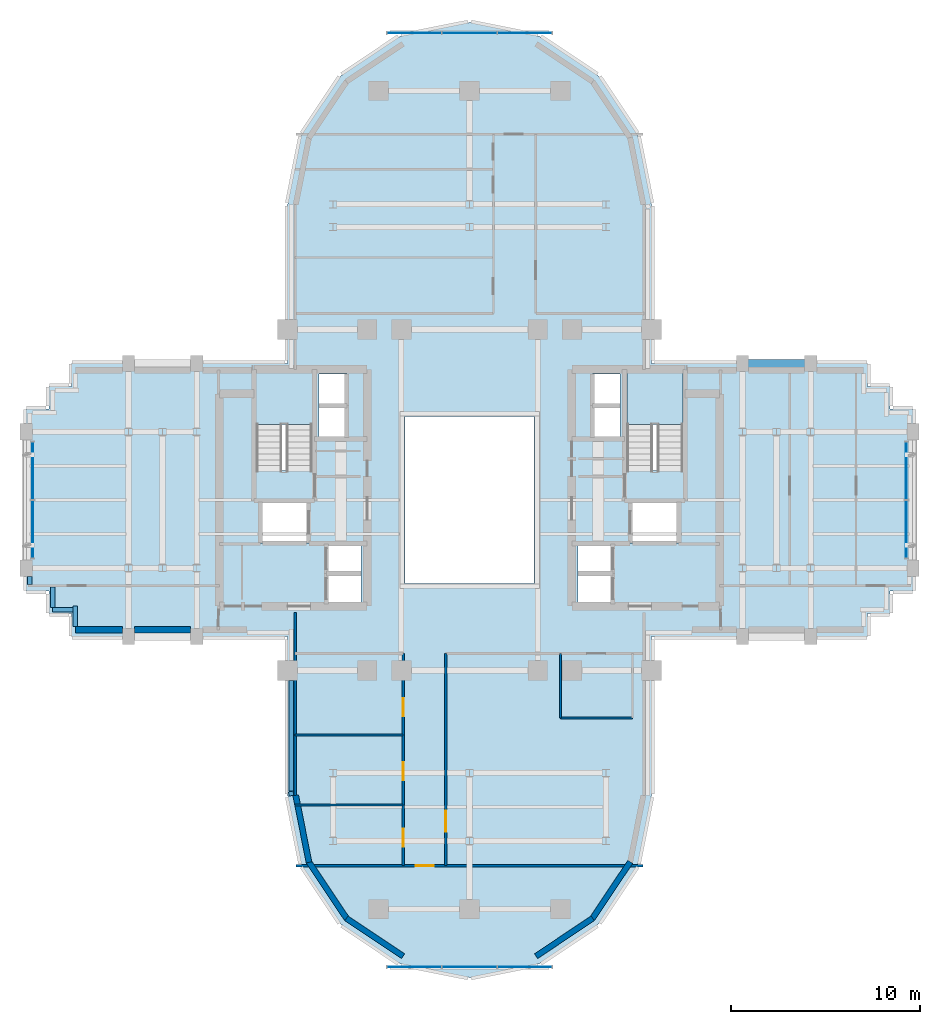
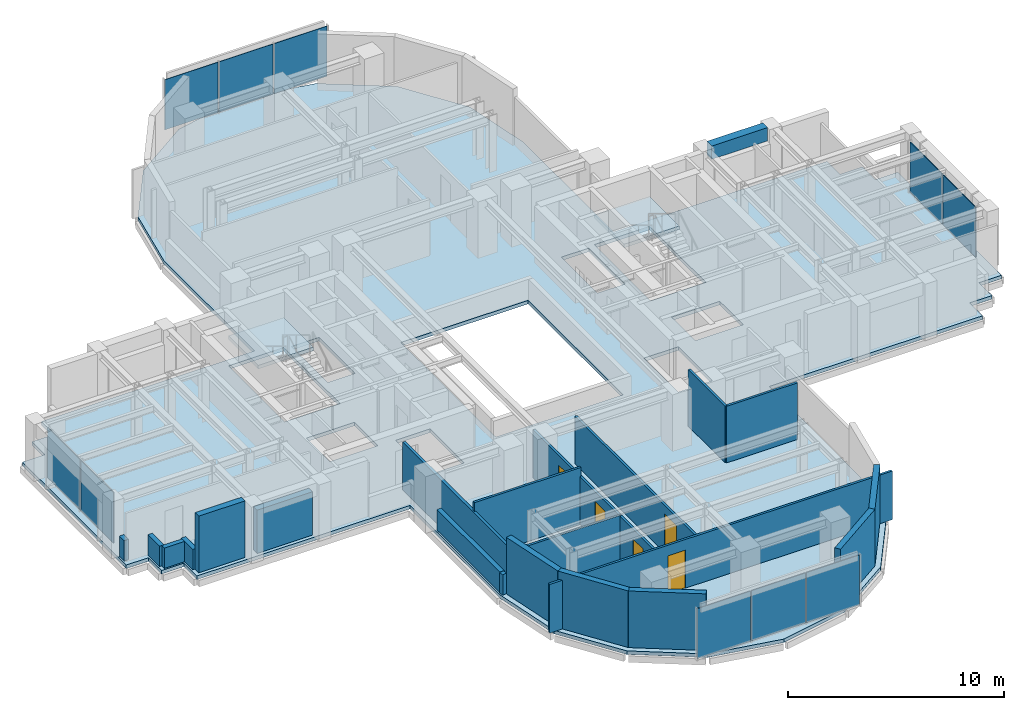
# One storey, part 7 of 14: 21 walls, 10 plates, 5 doors, 3 slabs, 1 beam, 5 openings, 6 elements without a shape of their own.
"""IFC4 building model written with IfcOpenShell, lengths in metres."""

from ifc_helpers import new_model, si_unit, direction, frame, frame_2d, origin, origin_2d, place, context, subcontext, project, spatial, polyline, rectangle, outline, extrude, source, transform, mapped, material, layer, layer_set, material_profile, profile_set, type_object, element, fill, aggregate, save


model = new_model("IFC4")

# Units and contexts
model_context = context("Model", 3, precision=1e-05, world=origin(), true_north=direction((0.0, 1.0)))
body_context = subcontext(model_context, "Body", "Model", "MODEL_VIEW")
ifc_project = project(units=[si_unit("LENGTHUNIT", "METRE"), si_unit("AREAUNIT", "SQUARE_METRE"), si_unit("VOLUMEUNIT", "CUBIC_METRE"), si_unit("PLANEANGLEUNIT", "RADIAN"), si_unit("MASSUNIT", "GRAM", prefix="KILO")], contexts=[model_context])

# Site, building, storey
site_placement = place(None, origin())
site = spatial("IfcSite", under=ifc_project, at=site_placement, CompositionType="ELEMENT")
building_placement = place(site_placement, origin())
building = spatial("IfcBuilding", under=site, at=building_placement, Name="Keilestroom Media Tower", CompositionType="ELEMENT")
storey_placement = place(building_placement, frame((0.0, 0.0, 127.800048828125)))
storey = spatial("IfcBuildingStorey", under=building, at=storey_placement, Name="L34", CompositionType="ELEMENT", Elevation=127.800048828125)

# Beam
ifc_material_1 = material(Name="Precast concrete C40/50", Category="concrete")
ifc_material_profile = material_profile(ifc_material_1, rectangle(XDim=0.449951171875, YDim=0.75, at=origin_2d()), Name="PC 450x750")
ifc_profile_set = profile_set([ifc_material_profile], Name="Precast concrete C40/50")
beam_type = type_object("IfcBeamType", Name="Perimeter-Spandrel-Beam-PC-450x750", PredefinedType="SPANDREL", material=ifc_profile_set)
shared_shape_1 = source(origin(), body_context, "Body", "SweptSolid", [
    extrude(rectangle(XDim=0.449951171875, YDim=0.75, at=origin_2d()), origin(), (0.0, 0.0, 1.0), 2.989990234375),
])
beam_placement = place(storey_placement, frame((14.705078125, 7.199951171875, 2.824951171875), z_axis=(1.0, 0.0, 0.0), x_axis=(0.0, 1.0, 0.0)))
element("IfcBeam", 1, at=beam_placement, inside=storey, type_object=beam_type, Name="L34 Beam SPB-1 BM-L34-EW-027", PredefinedType="SPANDREL", context=body_context, shape_type="MappedRepresentation", body=[
    mapped(shared_shape_1, transform((0.0, 0.0, 0.0), x_axis=(1.0, 0.0, 0.0), y_axis=(0.0, 1.0, 0.0), z_axis=(0.0, 0.0, 1.0), scale=1.0)),
])

# Slab
ifc_material_2 = material(Name="Concrete C50/60", Category="concrete")
ifc_layer_1 = layer(ifc_material_2, 0.199951171875)
ifc_layer_set_1 = layer_set([ifc_layer_1], Name="Concrete C50/60")
slab_type_1 = type_object("IfcSlabType", Name="Composite-Floor-Slab-200", PredefinedType="FLOOR", material=ifc_layer_set_1)
slab_1_placement = place(storey_placement, frame((0.0, 0.0, -0.199951171875)))
element("IfcSlab", 2, at=slab_1_placement, inside=storey, type_object=slab_type_1, Name="L34 Structural Composite Floor Slab", PredefinedType="FLOOR", context=body_context, shape_type="SweptSolid", body=[
    extrude(outline(polyline([(23.39990234375, -4.800048828125), (23.39990234375, 4.800048828125), (22.199951171875, 4.800048828125), (22.199951171875, 6.0), (21.0, 6.0), (21.0, 7.199951171875), (9.60009765625, 7.199951171875), (9.60009765625, 9.60009765625), (9.60009765625, 15.60009765625), (8.869140625, 19.273681640625), (6.7880859375, 22.38818359375), (3.673828125, 24.46923828125), (0.0, 25.199951171875), (-3.673828125, 24.46923828125), (-6.7880859375, 22.38818359375), (-8.869140625, 19.273681640625), (-9.60009765625, 15.60009765625), (-9.60009765625, 9.60009765625), (-9.60009765625, 7.199951171875), (-21.0, 7.199951171875), (-21.0, 6.0), (-22.199951171875, 6.0), (-22.199951171875, 4.800048828125), (-23.39990234375, 4.800048828125), (-23.39990234375, -4.800048828125), (-22.199951171875, -4.800048828125), (-22.199951171875, -6.0), (-21.0, -6.0), (-21.0, -7.199951171875), (-9.60009765625, -7.199951171875), (-9.60009765625, -9.60009765625), (-9.60009765625, -15.60009765625), (-8.869140625, -19.273681640625), (-6.7880859375, -22.38818359375), (-3.673828125, -24.46923828125), (0.0, -25.199951171875), (3.673828125, -24.46923828125), (6.7880859375, -22.38818359375), (8.869140625, -19.273681640625), (9.60009765625, -15.60009765625), (9.60009765625, -9.60009765625), (9.60009765625, -7.199951171875), (21.0, -7.199951171875), (21.0, -6.0), (22.199951171875, -6.0), (22.199951171875, -4.800048828125), (23.39990234375, -4.800048828125)]), holes=[polyline([(-11.260009765625, 1.544921875), (-11.260009765625, 6.760009765625), (-8.300048828125, 6.760009765625), (-8.300048828125, 1.544921875), (-11.260009765625, 1.544921875)]), polyline([(-11.050048828125, -2.280029296875), (-11.050048828125, -0.10009765625), (-8.47998046875, -0.10009765625), (-8.47998046875, -2.280029296875), (-11.050048828125, -2.280029296875)]), polyline([(-7.949951171875, 3.300048828125), (-7.949951171875, 6.64990234375), (-6.47998046875, 6.64990234375), (-6.47998046875, 3.300048828125), (-7.949951171875, 3.300048828125)]), polyline([(-7.56005859375, -2.320068359375), (-5.719970703125, -2.320068359375), (-5.719970703125, -5.47998046875), (-7.56005859375, -5.47998046875), (-7.56005859375, -2.320068359375)]), polyline([(3.39990234375, -4.39990234375), (-3.39990234375, -4.39990234375), (-3.39990234375, 4.39990234375), (3.39990234375, 4.39990234375), (3.39990234375, -4.39990234375)]), polyline([(7.56005859375, -2.320068359375), (7.56005859375, -5.47998046875), (5.719970703125, -5.47998046875), (5.719970703125, -2.320068359375), (7.56005859375, -2.320068359375)]), polyline([(6.47998046875, 3.300048828125), (6.47998046875, 6.64990234375), (7.949951171875, 6.64990234375), (7.949951171875, 3.300048828125), (6.47998046875, 3.300048828125)]), polyline([(8.300048828125, 1.544921875), (8.300048828125, 6.760009765625), (11.260009765625, 6.760009765625), (11.260009765625, 1.544921875), (8.300048828125, 1.544921875)]), polyline([(8.47998046875, -2.280029296875), (8.47998046875, -0.10009765625), (11.050048828125, -0.10009765625), (11.050048828125, -2.280029296875), (8.47998046875, -2.280029296875)])]), origin(), (0.0, 0.0, 1.0), 0.199951171875),
])

# Stair, slab
ifc_material_3 = material(Name="Concrete C45/55", Category="concrete")
stair_type = type_object("IfcStairType", Name="Enclosed-Dog-Leg-Stair-ST-CORE", PredefinedType="HALF_TURN_STAIR", material=ifc_material_3)
stair_1_placement = place(storey_placement, origin())
stair_1 = element("IfcStair", 3, at=stair_1_placement, inside=storey, type_object=stair_type, Name="L34 West Core Escape Stair ST-1", PredefinedType="HALF_TURN_STAIR")
ifc_layer_2 = layer(ifc_material_3, 0.199951171875)
ifc_layer_set_2 = layer_set([ifc_layer_2], Name="Concrete C45/55")
slab_type_2 = type_object("IfcSlabType", Name="Stair-Intermediate-And-Top-Landing-Slab-200", PredefinedType="LANDING", material=ifc_layer_set_2)
slab_2_placement = place(storey_placement, frame((0.0, 0.0, 1.5)))
slab_2 = element("IfcSlab", 4, at=slab_2_placement, type_object=slab_type_2, Name="ST-1 landing 1", PredefinedType="LANDING", context=body_context, shape_type="SweptSolid", body=[
    extrude(outline(polyline([(-8.300048828125, 3.99609375), (-8.300048828125, 6.760009765625), (-11.260009765625, 6.760009765625), (-11.260009765625, 3.99609375), (-8.300048828125, 3.99609375)])), origin(), (0.0, 0.0, 1.0), 0.199951171875),
])
aggregate(stair_1, [slab_2])

stair_2_placement = place(storey_placement, origin())
stair_2 = element("IfcStair", 5, at=stair_2_placement, inside=storey, type_object=stair_type, Name="L34 East Core Escape Stair ST-2", PredefinedType="HALF_TURN_STAIR")
slab_3_placement = place(storey_placement, frame((0.0, 0.0, 1.5)))
slab_3 = element("IfcSlab", 6, at=slab_3_placement, type_object=slab_type_2, Name="ST-2 landing 1", PredefinedType="LANDING", context=body_context, shape_type="SweptSolid", body=[
    extrude(outline(polyline([(11.260009765625, 3.99609375), (11.260009765625, 6.760009765625), (8.300048828125, 6.760009765625), (8.300048828125, 3.99609375), (11.260009765625, 3.99609375)])), origin(), (0.0, 0.0, 1.0), 0.199951171875),
])
aggregate(stair_2, [slab_3])

# Curtain wall, plates
ifc_material_4 = material(Name="Anodised Aluminium Alloy", Category="aluminium")
curtain_wall_type_1 = type_object("IfcCurtainWallType", Name="Unitised-Curtain-Wall-CW-6", PredefinedType="NOTDEFINED", material=ifc_material_4)
curtain_wall_1_placement = place(storey_placement, origin())
curtain_wall_1 = element("IfcCurtainWall", 7, at=curtain_wall_1_placement, inside=storey, type_object=curtain_wall_type_1, Name="L34 Curtain Wall CW-6 CW-L34-LN-1", PredefinedType="NOTDEFINED")
ifc_material_5 = material(Name="Curved-Facet Triple Glazed Unit", Category="glass")
ifc_layer_3 = layer(ifc_material_5, 0.033935546875)
ifc_layer_set_3 = layer_set([ifc_layer_3], Name="Curved-Facet Triple Glazed Unit")
plate_type_1 = type_object("IfcPlateType", Name="Insulated-Curtain-Wall-Glazing-Panel-CW-6", PredefinedType="CURTAIN_PANEL", material=ifc_layer_set_3)
shared_shape_2 = source(origin(), body_context, "Body", "SweptSolid", [
    extrude(rectangle(XDim=2.84375, YDim=0.033935546875, at=origin_2d()), origin(), (0.0, 0.0, 1.0), 2.833984375),
])
plate_1_placement = place(storey_placement, frame((-2.9169921875, 24.64990234375, 0.072998046875), z_axis=(0.0, 0.0, 1.0), x_axis=(1.0, 0.0, 0.0)))
plate_1 = element("IfcPlate", 8, at=plate_1_placement, type_object=plate_type_1, Name="CW-6 Unitised Glazing 00", PredefinedType="CURTAIN_PANEL", context=body_context, shape_type="MappedRepresentation", body=[
    mapped(shared_shape_2, transform((0.0, 0.0, 0.0), x_axis=(1.0, 0.0, 0.0), y_axis=(0.0, 1.0, 0.0), z_axis=(0.0, 0.0, 1.0), scale=1.0)),
])
plate_2_placement = place(storey_placement, frame((2.9169921875, 24.64990234375, 0.072998046875), z_axis=(0.0, 0.0, 1.0), x_axis=(1.0, 0.0, 0.0)))
plate_2 = element("IfcPlate", 9, at=plate_2_placement, type_object=plate_type_1, Name="CW-6 Unitised Glazing 02", PredefinedType="CURTAIN_PANEL", context=body_context, shape_type="MappedRepresentation", body=[
    mapped(shared_shape_2, transform((0.0, 0.0, 0.0), x_axis=(1.0, 0.0, 0.0), y_axis=(0.0, 1.0, 0.0), z_axis=(0.0, 0.0, 1.0), scale=1.0)),
])

curtain_wall_2_placement = place(storey_placement, origin())
curtain_wall_2 = element("IfcCurtainWall", 10, at=curtain_wall_2_placement, inside=storey, type_object=curtain_wall_type_1, Name="L34 Curtain Wall CW-6 CW-L34-LS-1", PredefinedType="NOTDEFINED")
plate_3_placement = place(storey_placement, frame((-2.9169921875, -24.64990234375, 0.072998046875), z_axis=(0.0, 0.0, 1.0), x_axis=(1.0, 0.0, 0.0)))
plate_3 = element("IfcPlate", 11, at=plate_3_placement, type_object=plate_type_1, Name="CW-6 Unitised Glazing 00", PredefinedType="CURTAIN_PANEL", context=body_context, shape_type="MappedRepresentation", body=[
    mapped(shared_shape_2, transform((0.0, 0.0, 0.0), x_axis=(1.0, 0.0, 0.0), y_axis=(0.0, 1.0, 0.0), z_axis=(0.0, 0.0, 1.0), scale=1.0)),
])
plate_4_placement = place(storey_placement, frame((2.9169921875, -24.64990234375, 0.072998046875), z_axis=(0.0, 0.0, 1.0), x_axis=(1.0, 0.0, 0.0)))
plate_4 = element("IfcPlate", 12, at=plate_4_placement, type_object=plate_type_1, Name="CW-6 Unitised Glazing 02", PredefinedType="CURTAIN_PANEL", context=body_context, shape_type="MappedRepresentation", body=[
    mapped(shared_shape_2, transform((0.0, 0.0, 0.0), x_axis=(1.0, 0.0, 0.0), y_axis=(0.0, 1.0, 0.0), z_axis=(0.0, 0.0, 1.0), scale=1.0)),
])

# Plate
shared_shape_3 = source(origin(), body_context, "Body", "SweptSolid", [
    extrude(rectangle(XDim=2.876220703125, YDim=0.033935546875, at=origin_2d()), origin(), (0.0, 0.0, 1.0), 2.833984375),
])
plate_5_placement = place(storey_placement, frame((0.0, 24.64990234375, 0.072998046875), z_axis=(0.0, 0.0, 1.0), x_axis=(1.0, 0.0, 0.0)))
plate_5 = element("IfcPlate", 13, at=plate_5_placement, type_object=plate_type_1, Name="CW-6 Unitised Glazing 01", PredefinedType="CURTAIN_PANEL", context=body_context, shape_type="MappedRepresentation", body=[
    mapped(shared_shape_3, transform((0.0, 0.0, 0.0), x_axis=(1.0, 0.0, 0.0), y_axis=(0.0, 1.0, 0.0), z_axis=(0.0, 0.0, 1.0), scale=1.0)),
])

aggregate(curtain_wall_1, [plate_1, plate_5, plate_2])

plate_6_placement = place(storey_placement, frame((0.0, -24.64990234375, 0.072998046875), z_axis=(0.0, 0.0, 1.0), x_axis=(1.0, 0.0, 0.0)))
plate_6 = element("IfcPlate", 14, at=plate_6_placement, type_object=plate_type_1, Name="CW-6 Unitised Glazing 01", PredefinedType="CURTAIN_PANEL", context=body_context, shape_type="MappedRepresentation", body=[
    mapped(shared_shape_3, transform((0.0, 0.0, 0.0), x_axis=(1.0, 0.0, 0.0), y_axis=(0.0, 1.0, 0.0), z_axis=(0.0, 0.0, 1.0), scale=1.0)),
])

aggregate(curtain_wall_2, [plate_3, plate_6, plate_4])

# Curtain wall, plates
curtain_wall_type_2 = type_object("IfcCurtainWallType", Name="Unitised-Curtain-Wall-CW-2", PredefinedType="NOTDEFINED", material=ifc_material_4)
curtain_wall_3_placement = place(storey_placement, origin())
curtain_wall_3 = element("IfcCurtainWall", 15, at=curtain_wall_3_placement, inside=storey, type_object=curtain_wall_type_2, Name="L34 Curtain Wall CW-2 CW-L34-W-1", PredefinedType="NOTDEFINED")
ifc_material_6 = material(Name="Double Glazed Low-E Unit", Category="glass")
ifc_layer_4 = layer(ifc_material_6, 0.0419921875)
ifc_layer_set_4 = layer_set([ifc_layer_4], Name="Double Glazed Low-E Unit")
plate_type_2 = type_object("IfcPlateType", Name="Insulated-Curtain-Wall-Glazing-Panel-CW-2", PredefinedType="CURTAIN_PANEL", material=ifc_layer_set_4)
shared_shape_4 = source(origin(), body_context, "Body", "SweptSolid", [
    extrude(rectangle(XDim=3.01806640625, YDim=0.0419921875, at=origin_2d()), origin(), (0.0, 0.0, 1.0), 2.833984375),
])
plate_7_placement = place(storey_placement, frame((-23.050048828125, -1.5400390625, 0.072998046875), z_axis=(0.0, 0.0, 1.0), x_axis=(0.0, 1.0, 0.0)))
plate_7 = element("IfcPlate", 16, at=plate_7_placement, type_object=plate_type_2, Name="CW-2 Unitised Glazing 00", PredefinedType="CURTAIN_PANEL", context=body_context, shape_type="MappedRepresentation", body=[
    mapped(shared_shape_4, transform((0.0, 0.0, 0.0), x_axis=(1.0, 0.0, 0.0), y_axis=(0.0, 1.0, 0.0), z_axis=(0.0, 0.0, 1.0), scale=1.0)),
])
plate_8_placement = place(storey_placement, frame((-23.050048828125, 1.5400390625, 0.072998046875), z_axis=(0.0, 0.0, 1.0), x_axis=(0.0, 1.0, 0.0)))
plate_8 = element("IfcPlate", 17, at=plate_8_placement, type_object=plate_type_2, Name="CW-2 Unitised Glazing 01", PredefinedType="CURTAIN_PANEL", context=body_context, shape_type="MappedRepresentation", body=[
    mapped(shared_shape_4, transform((0.0, 0.0, 0.0), x_axis=(1.0, 0.0, 0.0), y_axis=(0.0, 1.0, 0.0), z_axis=(0.0, 0.0, 1.0), scale=1.0)),
])
aggregate(curtain_wall_3, [plate_7, plate_8])

curtain_wall_4_placement = place(storey_placement, origin())
curtain_wall_4 = element("IfcCurtainWall", 18, at=curtain_wall_4_placement, inside=storey, type_object=curtain_wall_type_2, Name="L34 Curtain Wall CW-2 CW-L34-E-1", PredefinedType="NOTDEFINED")
plate_9_placement = place(storey_placement, frame((23.050048828125, -1.5400390625, 0.072998046875), z_axis=(0.0, 0.0, 1.0), x_axis=(0.0, 1.0, 0.0)))
plate_9 = element("IfcPlate", 19, at=plate_9_placement, type_object=plate_type_2, Name="CW-2 Unitised Glazing 00", PredefinedType="CURTAIN_PANEL", context=body_context, shape_type="MappedRepresentation", body=[
    mapped(shared_shape_4, transform((0.0, 0.0, 0.0), x_axis=(1.0, 0.0, 0.0), y_axis=(0.0, 1.0, 0.0), z_axis=(0.0, 0.0, 1.0), scale=1.0)),
])
plate_10_placement = place(storey_placement, frame((23.050048828125, 1.5400390625, 0.072998046875), z_axis=(0.0, 0.0, 1.0), x_axis=(0.0, 1.0, 0.0)))
plate_10 = element("IfcPlate", 20, at=plate_10_placement, type_object=plate_type_2, Name="CW-2 Unitised Glazing 01", PredefinedType="CURTAIN_PANEL", context=body_context, shape_type="MappedRepresentation", body=[
    mapped(shared_shape_4, transform((0.0, 0.0, 0.0), x_axis=(1.0, 0.0, 0.0), y_axis=(0.0, 1.0, 0.0), z_axis=(0.0, 0.0, 1.0), scale=1.0)),
])
aggregate(curtain_wall_4, [plate_9, plate_10])

# Walls
ifc_layer_5 = layer(ifc_material_1, 0.300048828125)
ifc_layer_set_5 = layer_set([ifc_layer_5], Name="Precast concrete C40/50")
wall_type_1 = type_object("IfcWallType", Name="Exterior-Masonry-Spandrel-Wall-300", PredefinedType="SOLIDWALL", material=ifc_layer_set_5)
for number, where, z_axis, x_axis, name in (
    (21, (-9.1748046875, -15.585205078125, 0.0), (0.0, 0.0, 1.0), (0.195114232679, -0.980780523974, 0.0), "L34 Lobe Facet Precast Frame Wall 07"),
    (22, (-8.48193359375, -19.097412109375, 0.0), (0.0, 0.0, 1.0), (0.555574187116, -0.831466970246, 0.0), "L34 Lobe Facet Precast Frame Wall 08"),
):
    element("IfcWall", number, at=place(storey_placement, frame(where, z_axis=z_axis, x_axis=x_axis)), inside=storey, type_object=wall_type_1, Name=name, PredefinedType="SOLIDWALL", context=body_context, shape_type="SweptSolid", body=[
        extrude(rectangle(XDim=3.608642578125, YDim=0.300048828125, at=frame_2d((1.80419921875, 0.0))), origin(), (0.0, 0.0, 1.0), 3.199951171875),
    ])
for number, where, z_axis, x_axis, name in (
    (23, (-6.497802734375, -22.0771484375, 0.0), (0.0, 0.0, 1.0), (0.8314749531, -0.555562239868, 0.0), "L34 Lobe Facet Precast Frame Wall 09"),
    (24, (3.510009765625, -24.073486328125, 0.0), (0.0, 0.0, 1.0), (0.8314749531, 0.555562239868, 0.0), "L34 Lobe Facet Precast Frame Wall 10"),
):
    element("IfcWall", number, at=place(storey_placement, frame(where, z_axis=z_axis, x_axis=x_axis)), inside=storey, type_object=wall_type_1, Name=name, PredefinedType="SOLIDWALL", context=body_context, shape_type="SweptSolid", body=[
        extrude(rectangle(XDim=3.59326171875, YDim=0.300048828125, at=frame_2d((1.796630859375, 0.0))), origin(), (0.0, 0.0, 1.0), 3.199951171875),
    ])
wall_1_placement = place(storey_placement, frame((6.47705078125, -22.097900390625, 0.0), z_axis=(0.0, 0.0, 1.0), x_axis=(0.555574187116, 0.831466970246, 0.0)))
element("IfcWall", 25, at=wall_1_placement, inside=storey, type_object=wall_type_1, Name="L34 Lobe Facet Precast Frame Wall 11", PredefinedType="SOLIDWALL", context=body_context, shape_type="SweptSolid", body=[
    extrude(rectangle(XDim=3.608642578125, YDim=0.300048828125, at=frame_2d((1.80419921875, 0.0))), origin(), (0.0, 0.0, 1.0), 3.199951171875),
])
ifc_layer_6 = layer(ifc_material_1, 0.340087890625)
ifc_layer_set_6 = layer_set([ifc_layer_6], Name="Precast concrete C40/50")
wall_type_2 = type_object("IfcWallType", Name="Exterior-Masonry-Spandrel-Wall-340", PredefinedType="SOLIDWALL", material=ifc_layer_set_6)
wall_2_placement = place(storey_placement, frame((-20.800048828125, -6.85009765625, 0.0), z_axis=(0.0, 0.0, 1.0), x_axis=(1.0, 0.0, 0.0)))
element("IfcWall", 26, at=wall_2_placement, inside=storey, type_object=wall_type_2, Name="L34 Flank Masonry Wall EWL-L34-SW-1", PredefinedType="SOLIDWALL", context=body_context, shape_type="SweptSolid", body=[
    extrude(rectangle(XDim=2.483154296875, YDim=0.340087890625, at=frame_2d((1.24169921875, 0.0))), origin(), (0.0, 0.0, 1.0), 3.199951171875),
])
wall_3_placement = place(storey_placement, frame((-17.68310546875, -6.85009765625, 0.0), z_axis=(0.0, 0.0, 1.0), x_axis=(1.0, 0.0, 0.0)))
element("IfcWall", 27, at=wall_3_placement, inside=storey, type_object=wall_type_2, Name="L34 Flank Masonry Wall EWL-L34-SW-2", PredefinedType="SOLIDWALL", context=body_context, shape_type="SweptSolid", body=[
    extrude(rectangle(XDim=2.966064453125, YDim=0.340087890625, at=frame_2d((1.48291015625, 0.0))), origin(), (0.0, 0.0, 1.0), 2.449951171875),
])

# Wall, openings, doors
ifc_material_7 = material(Name="Gypsum Plasterboard & Steel Stud", Category="steel")
ifc_layer_7 = layer(ifc_material_7, 0.1201171875)
ifc_layer_set_7 = layer_set([ifc_layer_7], Name="Gypsum Plasterboard & Steel Stud")
wall_type_3 = type_object("IfcWallType", Name="Interior-Partition-Wall-120", PredefinedType="PARTITIONING", material=ifc_layer_set_7)
wall_4_placement = place(storey_placement, frame((-3.5, -19.300048828125, 0.0), z_axis=(0.0, 0.0, 1.0), x_axis=(0.0, 1.0, 0.0)))
wall_4 = element("IfcWall", 28, at=wall_4_placement, inside=storey, type_object=wall_type_3, Name="L34 Interior Wall WP-L34-SL-SPW", PredefinedType="PARTITIONING", context=body_context, shape_type="SweptSolid", body=[
    extrude(rectangle(XDim=11.199951171875, YDim=0.1201171875, at=frame_2d((5.60009765625, 0.0))), origin(), (0.0, 0.0, 1.0), 2.699951171875),
])
opening_1_placement = place(wall_4_placement, frame((7.89990234375, 0.0, 0.0)))
opening_1 = element("IfcOpeningElement", 29, at=opening_1_placement, cuts=wall_4, Name="Opening DI-03", PredefinedType="OPENING", context=body_context, shape_type="SweptSolid", body=[
    extrude(rectangle(XDim=0.949951171875, YDim=2.14990234375, at=frame_2d((0.47509765625, 1.074951171875))), frame((0.0, 0.070068359375, 0.0), z_axis=(0.0, -1.0, 0.0), x_axis=(1.0, 0.0, 0.0)), (0.0, 0.0, 1.0), 0.14013671875),
])
opening_2_placement = place(wall_4_placement, frame((4.5, 0.0, 0.0)))
opening_2 = element("IfcOpeningElement", 30, at=opening_2_placement, cuts=wall_4, Name="Opening DI-03", PredefinedType="OPENING", context=body_context, shape_type="SweptSolid", body=[
    extrude(rectangle(XDim=0.949951171875, YDim=2.14990234375, at=frame_2d((0.47509765625, 1.074951171875))), frame((0.0, 0.070068359375, 0.0), z_axis=(0.0, -1.0, 0.0), x_axis=(1.0, 0.0, 0.0)), (0.0, 0.0, 1.0), 0.14013671875),
])
opening_3_placement = place(wall_4_placement, frame((1.0, 0.0, 0.0)))
opening_3 = element("IfcOpeningElement", 31, at=opening_3_placement, cuts=wall_4, Name="Opening DI-03", PredefinedType="OPENING", context=body_context, shape_type="SweptSolid", body=[
    extrude(rectangle(XDim=0.949951171875, YDim=2.14990234375, at=frame_2d((0.47509765625, 1.074951171875))), frame((0.0, 0.070068359375, 0.0), z_axis=(0.0, -1.0, 0.0), x_axis=(1.0, 0.0, 0.0)), (0.0, 0.0, 1.0), 0.14013671875),
])
ifc_material_8 = material(Name="Lacquered European Oak Leaf", Category="wood")
door_type_1 = type_object("IfcDoorType", Name="Interior-Room-And-Suite-Door-DI-03", OperationType="NOTDEFINED", PredefinedType="DOOR", material=ifc_material_8)
shared_shape_5 = source(origin(), body_context, "Body", "SweptSolid", [
    extrude(rectangle(XDim=0.949951171875, YDim=2.14990234375, at=frame_2d((0.47509765625, 1.074951171875))), frame((0.0, 0.02490234375, 0.0), z_axis=(0.0, -1.0, 0.0), x_axis=(1.0, 0.0, 0.0)), (0.0, 0.0, 1.0), 0.050048828125),
])
door_1_placement = place(opening_1_placement, origin())
door_1 = element("IfcDoor", 32, at=door_1_placement, inside=storey, type_object=door_type_1, Name="L34 Interior Door DI-L34-DSL-W1", OperationType="SINGLE_SWING_RIGHT", OverallHeight=2.14990234375, OverallWidth=0.949951171875, PredefinedType="DOOR", context=body_context, shape_type="MappedRepresentation", body=[
    mapped(shared_shape_5, transform((0.0, 0.0, 0.0), x_axis=(1.0, 0.0, 0.0), y_axis=(0.0, 1.0, 0.0), z_axis=(0.0, 0.0, 1.0), scale=1.0)),
])
fill(opening_1, door_1)
door_2_placement = place(opening_2_placement, origin())
door_2 = element("IfcDoor", 33, at=door_2_placement, inside=storey, type_object=door_type_1, Name="L34 Interior Door DI-L34-DSL-W2", OperationType="SINGLE_SWING_LEFT", OverallHeight=2.14990234375, OverallWidth=0.949951171875, PredefinedType="DOOR", context=body_context, shape_type="MappedRepresentation", body=[
    mapped(shared_shape_5, transform((0.0, 0.0, 0.0), x_axis=(1.0, 0.0, 0.0), y_axis=(0.0, 1.0, 0.0), z_axis=(0.0, 0.0, 1.0), scale=1.0)),
])
fill(opening_2, door_2)
door_3_placement = place(opening_3_placement, origin())
door_3 = element("IfcDoor", 34, at=door_3_placement, inside=storey, type_object=door_type_1, Name="L34 Interior Door DI-L34-DSL-W3", OperationType="SINGLE_SWING_RIGHT", OverallHeight=2.14990234375, OverallWidth=0.949951171875, PredefinedType="DOOR", context=body_context, shape_type="MappedRepresentation", body=[
    mapped(shared_shape_5, transform((0.0, 0.0, 0.0), x_axis=(1.0, 0.0, 0.0), y_axis=(0.0, 1.0, 0.0), z_axis=(0.0, 0.0, 1.0), scale=1.0)),
])
fill(opening_3, door_3)

# Wall, opening, door
wall_5_placement = place(storey_placement, frame((-1.260009765625, -19.300048828125, 0.0), z_axis=(0.0, 0.0, 1.0), x_axis=(0.0, 1.0, 0.0)))
wall_5 = element("IfcWall", 35, at=wall_5_placement, inside=storey, type_object=wall_type_3, Name="L34 Interior Wall WP-L34-SL-SPE", PredefinedType="PARTITIONING", context=body_context, shape_type="SweptSolid", body=[
    extrude(rectangle(XDim=11.199951171875, YDim=0.1201171875, at=frame_2d((5.60009765625, 0.0))), origin(), (0.0, 0.0, 1.0), 2.699951171875),
])
opening_4_placement = place(wall_5_placement, frame((1.800048828125, 0.0, 0.0)))
opening_4 = element("IfcOpeningElement", 36, at=opening_4_placement, cuts=wall_5, Name="Opening DI-04", PredefinedType="OPENING", context=body_context, shape_type="SweptSolid", body=[
    extrude(rectangle(XDim=1.10009765625, YDim=2.199951171875, at=frame_2d((0.550048828125, 1.10009765625))), frame((0.0, 0.070068359375, 0.0), z_axis=(0.0, -1.0, 0.0), x_axis=(1.0, 0.0, 0.0)), (0.0, 0.0, 1.0), 0.14013671875),
])
ifc_material_9 = material(Name="Acoustic Glazed Aluminium Leaf", Category="aluminium")
door_type_2 = type_object("IfcDoorType", Name="Interior-Room-And-Suite-Door-DI-04", OperationType="NOTDEFINED", PredefinedType="DOOR", material=ifc_material_9)
shared_shape_6 = source(origin(), body_context, "Body", "SweptSolid", [
    extrude(rectangle(XDim=1.10009765625, YDim=2.199951171875, at=frame_2d((0.550048828125, 1.10009765625))), frame((0.0, 0.02490234375, 0.0), z_axis=(0.0, -1.0, 0.0), x_axis=(1.0, 0.0, 0.0)), (0.0, 0.0, 1.0), 0.050048828125),
])
door_4_placement = place(opening_4_placement, origin())
door_4 = element("IfcDoor", 37, at=door_4_placement, inside=storey, type_object=door_type_2, Name="L34 Interior Door DI-L34-DSL-E1", OperationType="SINGLE_SWING_LEFT", OverallHeight=2.199951171875, OverallWidth=1.10009765625, PredefinedType="DOOR", context=body_context, shape_type="MappedRepresentation", body=[
    mapped(shared_shape_6, transform((0.0, 0.0, 0.0), x_axis=(1.0, 0.0, 0.0), y_axis=(0.0, 1.0, 0.0), z_axis=(0.0, 0.0, 1.0), scale=1.0)),
])
fill(opening_4, door_4)

wall_6_placement = place(storey_placement, frame((-9.159912109375, -19.300048828125, 0.0), z_axis=(0.0, 0.0, 1.0), x_axis=(1.0, 0.0, 0.0)))
wall_6 = element("IfcWall", 38, at=wall_6_placement, inside=storey, type_object=wall_type_3, Name="L34 Interior Wall WP-L34-SL-STIPW", PredefinedType="PARTITIONING", context=body_context, shape_type="SweptSolid", body=[
    extrude(rectangle(XDim=18.31982421875, YDim=0.1201171875, at=frame_2d((9.159912109375, 0.0))), origin(), (0.0, 0.0, 1.0), 2.75),
])
opening_5_placement = place(wall_6_placement, frame((6.31005859375, 0.0, 0.0)))
opening_5 = element("IfcOpeningElement", 39, at=opening_5_placement, cuts=wall_6, Name="Opening DI-03", PredefinedType="OPENING", context=body_context, shape_type="SweptSolid", body=[
    extrude(rectangle(XDim=0.949951171875, YDim=2.14990234375, at=frame_2d((0.47509765625, 1.074951171875))), frame((0.0, 0.070068359375, 0.0), z_axis=(0.0, -1.0, 0.0), x_axis=(1.0, 0.0, 0.0)), (0.0, 0.0, 1.0), 0.14013671875),
])
door_5_placement = place(opening_5_placement, origin())
door_5 = element("IfcDoor", 40, at=door_5_placement, inside=storey, type_object=door_type_1, Name="L34 Interior Door DI-L34-DSL-TIP", OperationType="SINGLE_SWING_RIGHT", OverallHeight=2.14990234375, OverallWidth=0.949951171875, PredefinedType="DOOR", context=body_context, shape_type="MappedRepresentation", body=[
    mapped(shared_shape_5, transform((0.0, 0.0, 0.0), x_axis=(1.0, 0.0, 0.0), y_axis=(0.0, 1.0, 0.0), z_axis=(0.0, 0.0, 1.0), scale=1.0)),
])
fill(opening_5, door_5)

# Walls
wall_7_placement = place(storey_placement, frame((4.800048828125, -11.5, 0.0), z_axis=(0.0, 0.0, 1.0), x_axis=(1.0, 0.0, 0.0)))
element("IfcWall", 41, at=wall_7_placement, inside=storey, type_object=wall_type_3, Name="L34 Interior Wall WP-L34-SL-WC-S", PredefinedType="PARTITIONING", context=body_context, shape_type="SweptSolid", body=[
    extrude(rectangle(XDim=3.800048828125, YDim=0.1201171875, at=frame_2d((1.89990234375, 0.0))), origin(), (0.0, 0.0, 1.0), 3.199951171875),
])
wall_8_placement = place(storey_placement, frame((4.800048828125, -11.5, 0.0), z_axis=(0.0, 0.0, 1.0), x_axis=(0.0, 1.0, 0.0)))
element("IfcWall", 42, at=wall_8_placement, inside=storey, type_object=wall_type_3, Name="L34 Interior Wall WP-L34-SL-WC-W", PredefinedType="PARTITIONING", context=body_context, shape_type="SweptSolid", body=[
    extrude(rectangle(XDim=3.39990234375, YDim=0.1201171875, at=frame_2d((1.699951171875, 0.0))), origin(), (0.0, 0.0, 1.0), 3.199951171875),
])
wall_9_placement = place(storey_placement, frame((-9.199951171875, -16.10009765625, 0.0), z_axis=(0.0, 0.0, 1.0), x_axis=(1.0, 0.0, 0.0)))
element("IfcWall", 43, at=wall_9_placement, inside=storey, type_object=wall_type_3, Name="L34 Interior Wall WP-L34-SL-HW1", PredefinedType="PARTITIONING", context=body_context, shape_type="SweptSolid", body=[
    extrude(rectangle(XDim=5.699951171875, YDim=0.1201171875, at=frame_2d((2.85009765625, 0.0))), origin(), (0.0, 0.0, 1.0), 2.75),
])
wall_10_placement = place(storey_placement, frame((-9.199951171875, -12.39990234375, 0.0), z_axis=(0.0, 0.0, 1.0), x_axis=(1.0, 0.0, 0.0)))
element("IfcWall", 44, at=wall_10_placement, inside=storey, type_object=wall_type_3, Name="L34 Interior Wall WP-L34-SL-HW2", PredefinedType="PARTITIONING", context=body_context, shape_type="SweptSolid", body=[
    extrude(rectangle(XDim=5.699951171875, YDim=0.1201171875, at=frame_2d((2.85009765625, 0.0))), origin(), (0.0, 0.0, 1.0), 3.199951171875),
])
ifc_layer_8 = layer(ifc_material_7, 0.14990234375)
ifc_layer_set_8 = layer_set([ifc_layer_8], Name="Gypsum Plasterboard & Steel Stud")
wall_type_4 = type_object("IfcWallType", Name="Interior-Partition-Wall-150", PredefinedType="PARTITIONING", material=ifc_layer_set_8)
wall_11_placement = place(storey_placement, frame((-9.199951171875, -15.679931640625, 0.0), z_axis=(0.0, 0.0, 1.0), x_axis=(0.0, 1.0, 0.0)))
element("IfcWall", 45, at=wall_11_placement, inside=storey, type_object=wall_type_4, Name="L34 Interior Wall WP-L34-SL-CHKW", PredefinedType="PARTITIONING", context=body_context, shape_type="SweptSolid", body=[
    extrude(rectangle(XDim=9.739990234375, YDim=0.14990234375, at=frame_2d((4.8701171875, 0.0))), origin(), (0.0, 0.0, 1.0), 2.699951171875),
])
ifc_layer_9 = layer(ifc_material_1, 0.239990234375)
ifc_layer_set_9 = layer_set([ifc_layer_9], Name="Precast concrete C40/50")
wall_type_5 = type_object("IfcWallType", Name="Roof-And-Terrace-Parapet-Wall-240", PredefinedType="PARAPET", material=ifc_layer_set_9)
wall_12_placement = place(storey_placement, frame((-9.395263671875, -15.604248046875, 0.0), z_axis=(0.0, 0.0, 1.0), x_axis=(-0.194652052864, 0.980872355771, 0.0)))
element("IfcWall", 46, at=wall_12_placement, inside=storey, type_object=wall_type_5, Name="L34 Perimeter Edge Parapet Wall 07", PredefinedType="PARAPET", context=body_context, shape_type="SweptSolid", body=[
    extrude(rectangle(XDim=0.224609375, YDim=0.239990234375, at=frame_2d((0.1123046875, 0.0))), origin(), (0.0, 0.0, 1.0), 1.14990234375),
])
wall_13_placement = place(storey_placement, frame((-9.39990234375, -15.357666015625, 0.0), z_axis=(0.0, 0.0, 1.0), x_axis=(0.0, 1.0, 0.0)))
element("IfcWall", 47, at=wall_13_placement, inside=storey, type_object=wall_type_5, Name="L34 Perimeter Edge Parapet Wall 08", PredefinedType="PARAPET", context=body_context, shape_type="SweptSolid", body=[
    extrude(rectangle(XDim=5.82958984375, YDim=0.239990234375, at=frame_2d((2.914794921875, 0.0))), origin(), (0.0, 0.0, 1.0), 1.14990234375),
])
for number, where, z_axis, x_axis, name in (
    (48, (-20.800048828125, -6.677001953125, 0.0), (0.0, 0.0, 1.0), (0.0, 1.0, 0.0), "L34 Perimeter Edge Parapet Wall 11"),
    (49, (-20.923095703125, -5.800048828125, 0.0), (0.0, 0.0, 1.0), (-1.0, 0.0, 0.0), "L34 Perimeter Edge Parapet Wall 12"),
):
    element("IfcWall", number, at=place(storey_placement, frame(where, z_axis=z_axis, x_axis=x_axis)), inside=storey, type_object=wall_type_5, Name=name, PredefinedType="PARAPET", context=body_context, shape_type="SweptSolid", body=[
        extrude(rectangle(XDim=1.076904296875, YDim=0.239990234375, at=frame_2d((0.53857421875, 0.0))), origin(), (0.0, 0.0, 1.0), 1.14990234375),
    ])
wall_14_placement = place(storey_placement, frame((-22.0, -5.677001953125, 0.0), z_axis=(0.0, 0.0, 1.0), x_axis=(0.0, 1.0, 0.0)))
element("IfcWall", 50, at=wall_14_placement, inside=storey, type_object=wall_type_5, Name="L34 Perimeter Edge Parapet Wall 13", PredefinedType="PARAPET", context=body_context, shape_type="SweptSolid", body=[
    extrude(rectangle(XDim=1.083984375, YDim=0.239990234375, at=frame_2d((0.5419921875, 0.0))), origin(), (0.0, 0.0, 1.0), 1.14990234375),
])
wall_15_placement = place(storey_placement, frame((-23.199951171875, -4.467041015625, 0.0), z_axis=(0.0, 0.0, 1.0), x_axis=(0.0, 1.0, 0.0)))
element("IfcWall", 51, at=wall_15_placement, inside=storey, type_object=wall_type_5, Name="L34 Perimeter Edge Parapet Wall 14", PredefinedType="PARAPET", context=body_context, shape_type="SweptSolid", body=[
    extrude(rectangle(XDim=0.43896484375, YDim=0.239990234375, at=frame_2d((0.219482421875, 0.0))), origin(), (0.0, 0.0, 1.0), 1.14990234375),
])

save(model, "model.ifc")
